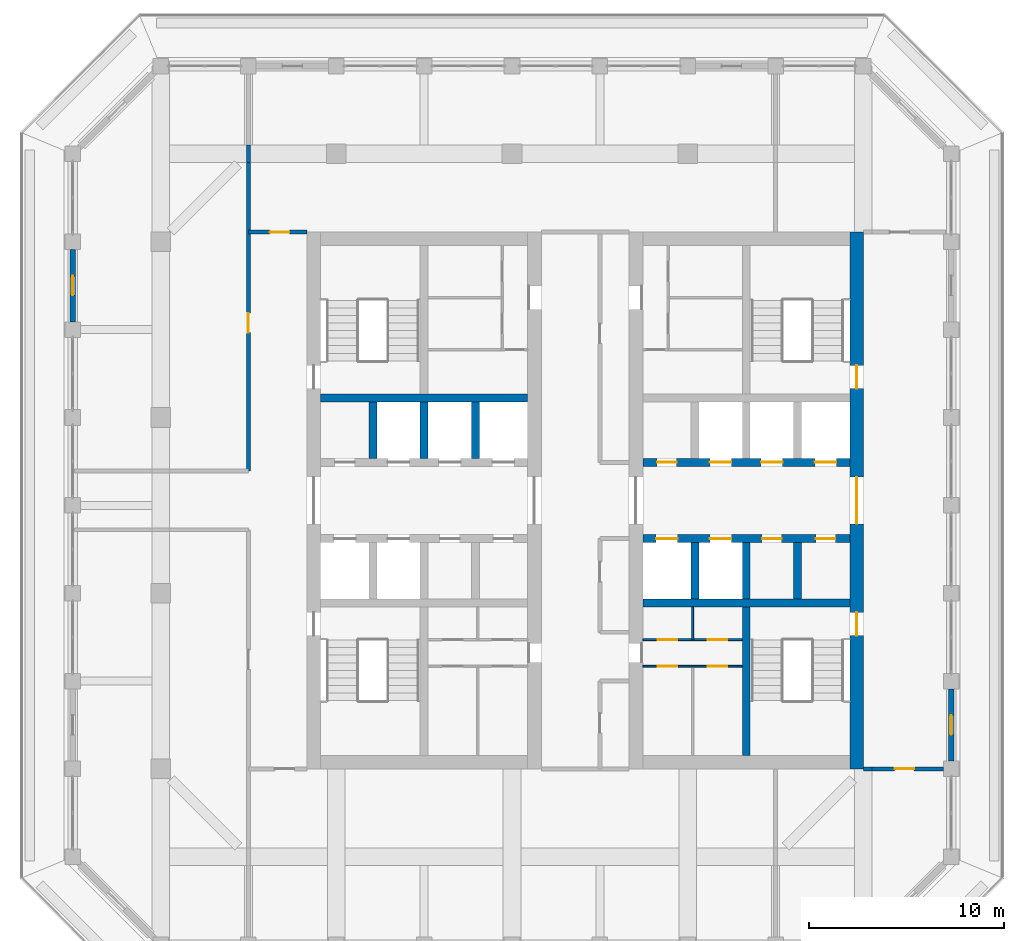
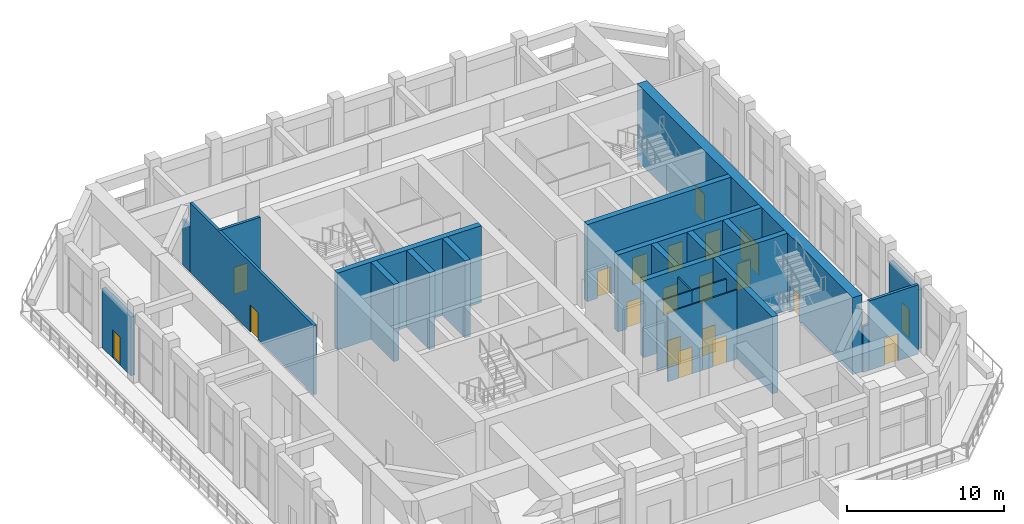
# One storey, part 11 of 20: 24 walls, 20 doors, 20 openings.
"""IFC4 building model written with IfcOpenShell, lengths in metres."""

from ifc_helpers import new_model, si_unit, direction, frame, frame_2d, origin, place, context, subcontext, project, spatial, rectangle, extrude, material, layer, layer_set, type_object, element, fill, save


model = new_model("IFC4")

# Units and contexts
model_context = context("Model", 3, precision=1e-05, world=origin(), true_north=direction((0.0, 1.0)))
body_context = subcontext(model_context, "Body", "Model", "MODEL_VIEW")
ifc_project = project(units=[si_unit("LENGTHUNIT", "METRE"), si_unit("AREAUNIT", "SQUARE_METRE"), si_unit("VOLUMEUNIT", "CUBIC_METRE"), si_unit("PLANEANGLEUNIT", "RADIAN"), si_unit("MASSUNIT", "GRAM", prefix="KILO")], contexts=[model_context])

# Site, building, storey
site_placement = place(None, origin())
site = spatial("IfcSite", under=ifc_project, at=site_placement, CompositionType="ELEMENT")
building_placement = place(site_placement, origin())
building = spatial("IfcBuilding", under=site, at=building_placement, Name="Corbel Stack Research Tower", CompositionType="ELEMENT")
storey_placement = place(building_placement, frame((0.0, 0.0, 295.0)))
storey = spatial("IfcBuildingStorey", under=building, at=storey_placement, Name="L67", CompositionType="ELEMENT", Elevation=295.0)

# Walls
ifc_material_1 = material(Name="Concrete C60/75", Category="concrete")
ifc_layer_1 = layer(ifc_material_1, 0.39990234375)
ifc_layer_set_1 = layer_set([ifc_layer_1], Name="Concrete C60/75")
wall_type_1 = type_object("IfcWallType", Name="CW-400-60", PredefinedType="SHEAR", material=ifc_layer_set_1)
wall_1_placement = place(storey_placement, frame((-9.800048828125, 10.0, 0.0), z_axis=(0.0, 0.0, 1.0), x_axis=(1.0, 0.0, 0.0)))
element("IfcWall", 1, at=wall_1_placement, inside=storey, type_object=wall_type_1, Name="West core wall, north row back L67", PredefinedType="SHEAR", context=body_context, shape_type="SweptSolid", body=[
    extrude(rectangle(XDim=10.60009765625, YDim=0.39990234375, at=frame_2d((5.300048828125, 0.0))), origin(), (0.0, 0.0, 1.0), 6.0),
])
for number, where, z_axis, x_axis, name in (
    (2, (-7.125, 6.89990234375, 0.0), (0.0, 0.0, 1.0), (0.0, 1.0, 0.0), "West core wall, north shaft 1 L67"),
    (3, (-4.5, 6.89990234375, 0.0), (0.0, 0.0, 1.0), (0.0, 1.0, 0.0), "West core wall, north shaft 2 L67"),
    (4, (-1.875, 6.89990234375, 0.0), (0.0, 0.0, 1.0), (0.0, 1.0, 0.0), "West core wall, north shaft 3 L67"),
):
    element("IfcWall", number, at=place(storey_placement, frame(where, z_axis=z_axis, x_axis=x_axis)), inside=storey, type_object=wall_type_1, Name=name, PredefinedType="SHEAR", context=body_context, shape_type="SweptSolid", body=[
        extrude(rectangle(XDim=2.900146484375, YDim=0.39990234375, at=frame_2d((1.4501953125, 0.0))), origin(), (0.0, 0.0, 1.0), 6.0),
    ])
wall_2_placement = place(storey_placement, frame((6.699951171875, -0.5, 0.0), z_axis=(0.0, 0.0, 1.0), x_axis=(1.0, 0.0, 0.0)))
element("IfcWall", 5, at=wall_2_placement, inside=storey, type_object=wall_type_1, Name="East core wall, south row back L67", PredefinedType="SHEAR", context=body_context, shape_type="SweptSolid", body=[
    extrude(rectangle(XDim=10.60009765625, YDim=0.39990234375, at=frame_2d((5.300048828125, 0.0))), origin(), (0.0, 0.0, 1.0), 6.0),
])

# Wall, openings, doors
wall_3_placement = place(storey_placement, frame((6.699951171875, 2.800048828125, 0.0), z_axis=(0.0, 0.0, 1.0), x_axis=(1.0, 0.0, 0.0)))
wall_3 = element("IfcWall", 6, at=wall_3_placement, inside=storey, type_object=wall_type_1, Name="East core wall, lobby south L67", PredefinedType="SHEAR", context=body_context, shape_type="SweptSolid", body=[
    extrude(rectangle(XDim=10.60009765625, YDim=0.39990234375, at=frame_2d((5.300048828125, 0.0))), origin(), (0.0, 0.0, 1.0), 6.0),
])
opening_1_placement = place(wall_3_placement, frame((0.6875, 0.0, 0.0)))
opening_1 = element("IfcOpeningElement", 7, at=opening_1_placement, cuts=wall_3, Name="Opening LD-FS2", PredefinedType="OPENING", context=body_context, shape_type="SweptSolid", body=[
    extrude(rectangle(XDim=1.10009765625, YDim=2.10009765625, at=frame_2d((0.550048828125, 1.050048828125))), frame((0.0, 0.2099609375, 0.0), z_axis=(0.0, -1.0, 0.0), x_axis=(1.0, 0.0, 0.0)), (0.0, 0.0, 1.0), 0.419921875),
])
opening_2_placement = place(wall_3_placement, frame((3.4375, 0.0, 0.0)))
opening_2 = element("IfcOpeningElement", 8, at=opening_2_placement, cuts=wall_3, Name="Opening LD-GL2", PredefinedType="OPENING", context=body_context, shape_type="SweptSolid", body=[
    extrude(rectangle(XDim=1.10009765625, YDim=2.10009765625, at=frame_2d((0.550048828125, 1.050048828125))), frame((0.0, 0.2099609375, 0.0), z_axis=(0.0, -1.0, 0.0), x_axis=(1.0, 0.0, 0.0)), (0.0, 0.0, 1.0), 0.419921875),
])
opening_3_placement = place(wall_3_placement, frame((6.112548828125, 0.0, 0.0)))
opening_3 = element("IfcOpeningElement", 9, at=opening_3_placement, cuts=wall_3, Name="Opening CR-E54-S3", PredefinedType="OPENING", context=body_context, shape_type="SweptSolid", body=[
    extrude(rectangle(XDim=1.0, YDim=2.10009765625, at=frame_2d((0.5, 1.050048828125))), frame((0.0, 0.2099609375, 0.0), z_axis=(0.0, -1.0, 0.0), x_axis=(1.0, 0.0, 0.0)), (0.0, 0.0, 1.0), 0.419921875),
])
opening_4_placement = place(wall_3_placement, frame((8.862548828125, 0.0, 0.0)))
opening_4 = element("IfcOpeningElement", 10, at=opening_4_placement, cuts=wall_3, Name="Opening CR-E54-S4", PredefinedType="OPENING", context=body_context, shape_type="SweptSolid", body=[
    extrude(rectangle(XDim=1.0, YDim=2.10009765625, at=frame_2d((0.5, 1.050048828125))), frame((0.0, 0.2099609375, 0.0), z_axis=(0.0, -1.0, 0.0), x_axis=(1.0, 0.0, 0.0)), (0.0, 0.0, 1.0), 0.419921875),
])
ifc_material_2 = material(Name="Stainless steel landing door", Category="steel")
door_type_1 = type_object("IfcDoorType", Name="Lift landing door 1100 x 2100", OperationType="DOUBLE_DOOR_SLIDING", PredefinedType="DOOR", material=ifc_material_2)
door_1_placement = place(opening_1_placement, origin())
door_1 = element("IfcDoor", 11, at=door_1_placement, inside=storey, type_object=door_type_1, Name="Landing door FS2", OperationType="DOUBLE_DOOR_SLIDING", OverallHeight=2.10009765625, OverallWidth=1.10009765625, PredefinedType="DOOR", context=body_context, shape_type="SweptSolid", body=[
    extrude(rectangle(XDim=1.10009765625, YDim=2.10009765625, at=frame_2d((0.550048828125, 1.050048828125))), frame((0.0, 0.02490234375, 0.0), z_axis=(0.0, -1.0, 0.0), x_axis=(1.0, 0.0, 0.0)), (0.0, 0.0, 1.0), 0.050048828125),
])
fill(opening_1, door_1)
door_2_placement = place(opening_2_placement, origin())
door_2 = element("IfcDoor", 12, at=door_2_placement, inside=storey, type_object=door_type_1, Name="Landing door GL2", OperationType="DOUBLE_DOOR_SLIDING", OverallHeight=2.10009765625, OverallWidth=1.10009765625, PredefinedType="DOOR", context=body_context, shape_type="SweptSolid", body=[
    extrude(rectangle(XDim=1.10009765625, YDim=2.10009765625, at=frame_2d((0.550048828125, 1.050048828125))), frame((0.0, 0.02490234375, 0.0), z_axis=(0.0, -1.0, 0.0), x_axis=(1.0, 0.0, 0.0)), (0.0, 0.0, 1.0), 0.050048828125),
])
fill(opening_2, door_2)
ifc_material_3 = material(Name="Painted steel door", Category="steel")
door_type_2 = type_object("IfcDoorType", Name="Service door 1000 x 2100 FD60 left hand", OperationType="SINGLE_SWING_LEFT", PredefinedType="DOOR", material=ifc_material_3)
door_3_placement = place(opening_3_placement, origin())
door_3 = element("IfcDoor", 13, at=door_3_placement, inside=storey, type_object=door_type_2, Name="Electrical room door E core", OperationType="SINGLE_SWING_LEFT", OverallHeight=2.10009765625, OverallWidth=1.0, PredefinedType="DOOR", context=body_context, shape_type="SweptSolid", body=[
    extrude(rectangle(XDim=1.0, YDim=2.10009765625, at=frame_2d((0.5, 1.050048828125))), frame((0.0, 0.02490234375, 0.0), z_axis=(0.0, -1.0, 0.0), x_axis=(1.0, 0.0, 0.0)), (0.0, 0.0, 1.0), 0.050048828125),
])
fill(opening_3, door_3)
ifc_material_4 = material(Name="Painted steel door", Category="steel")
door_type_3 = type_object("IfcDoorType", Name="Service door 1000 x 2100 FD60 right hand", OperationType="SINGLE_SWING_RIGHT", PredefinedType="DOOR", material=ifc_material_4)
door_4_placement = place(opening_4_placement, origin())
door_4 = element("IfcDoor", 14, at=door_4_placement, inside=storey, type_object=door_type_3, Name="Pantry door E core", OperationType="SINGLE_SWING_RIGHT", OverallHeight=2.10009765625, OverallWidth=1.0, PredefinedType="DOOR", context=body_context, shape_type="SweptSolid", body=[
    extrude(rectangle(XDim=1.0, YDim=2.10009765625, at=frame_2d((0.5, 1.050048828125))), frame((0.0, 0.02490234375, 0.0), z_axis=(0.0, -1.0, 0.0), x_axis=(1.0, 0.0, 0.0)), (0.0, 0.0, 1.0), 0.050048828125),
])
fill(opening_4, door_4)

wall_4_placement = place(storey_placement, frame((6.699951171875, 6.699951171875, 0.0), z_axis=(0.0, 0.0, 1.0), x_axis=(1.0, 0.0, 0.0)))
wall_4 = element("IfcWall", 15, at=wall_4_placement, inside=storey, type_object=wall_type_1, Name="East core wall, lobby north L67", PredefinedType="SHEAR", context=body_context, shape_type="SweptSolid", body=[
    extrude(rectangle(XDim=10.60009765625, YDim=0.39990234375, at=frame_2d((5.300048828125, 0.0))), origin(), (0.0, 0.0, 1.0), 6.0),
])
opening_5_placement = place(wall_4_placement, frame((3.4375, 0.0, 0.0)))
opening_5 = element("IfcOpeningElement", 16, at=opening_5_placement, cuts=wall_4, Name="Opening LD-HR4", PredefinedType="OPENING", context=body_context, shape_type="SweptSolid", body=[
    extrude(rectangle(XDim=1.10009765625, YDim=2.10009765625, at=frame_2d((0.550048828125, 1.050048828125))), frame((0.0, 0.2099609375, 0.0), z_axis=(0.0, -1.0, 0.0), x_axis=(1.0, 0.0, 0.0)), (0.0, 0.0, 1.0), 0.419921875),
])
opening_6_placement = place(wall_4_placement, frame((6.0625, 0.0, 0.0)))
opening_6 = element("IfcOpeningElement", 17, at=opening_6_placement, cuts=wall_4, Name="Opening LD-HR5", PredefinedType="OPENING", context=body_context, shape_type="SweptSolid", body=[
    extrude(rectangle(XDim=1.10009765625, YDim=2.10009765625, at=frame_2d((0.550048828125, 1.050048828125))), frame((0.0, 0.2099609375, 0.0), z_axis=(0.0, -1.0, 0.0), x_axis=(1.0, 0.0, 0.0)), (0.0, 0.0, 1.0), 0.419921875),
])
opening_7_placement = place(wall_4_placement, frame((8.8125, 0.0, 0.0)))
opening_7 = element("IfcOpeningElement", 18, at=opening_7_placement, cuts=wall_4, Name="Opening LD-HR6", PredefinedType="OPENING", context=body_context, shape_type="SweptSolid", body=[
    extrude(rectangle(XDim=1.10009765625, YDim=2.10009765625, at=frame_2d((0.550048828125, 1.050048828125))), frame((0.0, 0.2099609375, 0.0), z_axis=(0.0, -1.0, 0.0), x_axis=(1.0, 0.0, 0.0)), (0.0, 0.0, 1.0), 0.419921875),
])
opening_8_placement = place(wall_4_placement, frame((0.737548828125, 0.0, 0.0)))
opening_8 = element("IfcOpeningElement", 19, at=opening_8_placement, cuts=wall_4, Name="Opening CR-E54-N1", PredefinedType="OPENING", context=body_context, shape_type="SweptSolid", body=[
    extrude(rectangle(XDim=1.0, YDim=2.10009765625, at=frame_2d((0.5, 1.050048828125))), frame((0.0, 0.2099609375, 0.0), z_axis=(0.0, -1.0, 0.0), x_axis=(1.0, 0.0, 0.0)), (0.0, 0.0, 1.0), 0.419921875),
])
door_5_placement = place(opening_5_placement, origin())
door_5 = element("IfcDoor", 20, at=door_5_placement, inside=storey, type_object=door_type_1, Name="Landing door HR4", OperationType="DOUBLE_DOOR_SLIDING", OverallHeight=2.10009765625, OverallWidth=1.10009765625, PredefinedType="DOOR", context=body_context, shape_type="SweptSolid", body=[
    extrude(rectangle(XDim=1.10009765625, YDim=2.10009765625, at=frame_2d((0.550048828125, 1.050048828125))), frame((0.0, 0.02490234375, 0.0), z_axis=(0.0, -1.0, 0.0), x_axis=(1.0, 0.0, 0.0)), (0.0, 0.0, 1.0), 0.050048828125),
])
fill(opening_5, door_5)
door_6_placement = place(opening_6_placement, origin())
door_6 = element("IfcDoor", 21, at=door_6_placement, inside=storey, type_object=door_type_1, Name="Landing door HR5", OperationType="DOUBLE_DOOR_SLIDING", OverallHeight=2.10009765625, OverallWidth=1.10009765625, PredefinedType="DOOR", context=body_context, shape_type="SweptSolid", body=[
    extrude(rectangle(XDim=1.10009765625, YDim=2.10009765625, at=frame_2d((0.550048828125, 1.050048828125))), frame((0.0, 0.02490234375, 0.0), z_axis=(0.0, -1.0, 0.0), x_axis=(1.0, 0.0, 0.0)), (0.0, 0.0, 1.0), 0.050048828125),
])
fill(opening_6, door_6)
door_7_placement = place(opening_7_placement, origin())
door_7 = element("IfcDoor", 22, at=door_7_placement, inside=storey, type_object=door_type_1, Name="Landing door HR6", OperationType="DOUBLE_DOOR_SLIDING", OverallHeight=2.10009765625, OverallWidth=1.10009765625, PredefinedType="DOOR", context=body_context, shape_type="SweptSolid", body=[
    extrude(rectangle(XDim=1.10009765625, YDim=2.10009765625, at=frame_2d((0.550048828125, 1.050048828125))), frame((0.0, 0.02490234375, 0.0), z_axis=(0.0, -1.0, 0.0), x_axis=(1.0, 0.0, 0.0)), (0.0, 0.0, 1.0), 0.050048828125),
])
fill(opening_7, door_7)
door_8_placement = place(opening_8_placement, origin())
door_8 = element("IfcDoor", 23, at=door_8_placement, inside=storey, type_object=door_type_2, Name="Staff WC door E core", OperationType="SINGLE_SWING_LEFT", OverallHeight=2.10009765625, OverallWidth=1.0, PredefinedType="DOOR", context=body_context, shape_type="SweptSolid", body=[
    extrude(rectangle(XDim=1.0, YDim=2.10009765625, at=frame_2d((0.5, 1.050048828125))), frame((0.0, 0.02490234375, 0.0), z_axis=(0.0, -1.0, 0.0), x_axis=(1.0, 0.0, 0.0)), (0.0, 0.0, 1.0), 0.050048828125),
])
fill(opening_8, door_8)

# Walls
for number, where, z_axis, x_axis, name in (
    (24, (9.375, -0.300048828125, 0.0), (0.0, 0.0, 1.0), (0.0, 1.0, 0.0), "East core wall, south shaft 1 L67"),
    (25, (12.0, -0.300048828125, 0.0), (0.0, 0.0, 1.0), (0.0, 1.0, 0.0), "East core wall, south shaft 2 L67"),
    (26, (14.625, -0.300048828125, 0.0), (0.0, 0.0, 1.0), (0.0, 1.0, 0.0), "East core wall, south shaft 3 L67"),
):
    element("IfcWall", number, at=place(storey_placement, frame(where, z_axis=z_axis, x_axis=x_axis)), inside=storey, type_object=wall_type_1, Name=name, PredefinedType="SHEAR", context=body_context, shape_type="SweptSolid", body=[
        extrude(rectangle(XDim=2.900146484375, YDim=0.39990234375, at=frame_2d((1.4501953125, 0.0))), origin(), (0.0, 0.0, 1.0), 6.0),
    ])
wall_5_placement = place(storey_placement, frame((12.0, -8.300048828125, 0.0), z_axis=(0.0, 0.0, 1.0), x_axis=(0.0, 1.0, 0.0)))
element("IfcWall", 27, at=wall_5_placement, inside=storey, type_object=wall_type_1, Name="East core wall, south stair and WC L67", PredefinedType="SHEAR", context=body_context, shape_type="SweptSolid", body=[
    extrude(rectangle(XDim=7.60009765625, YDim=0.39990234375, at=frame_2d((3.800048828125, 0.0))), origin(), (0.0, 0.0, 1.0), 6.0),
])

# Wall, openings, doors
ifc_material_5 = material(Name="Concrete C60/75", Category="concrete")
ifc_layer_2 = layer(ifc_material_5, 0.699951171875)
ifc_layer_set_2 = layer_set([ifc_layer_2], Name="Concrete C60/75")
wall_type_2 = type_object("IfcWallType", Name="CW-700-60", PredefinedType="SHEAR", material=ifc_layer_set_2)
wall_6_placement = place(storey_placement, frame((17.64990234375, -9.0, 0.0), z_axis=(0.0, 0.0, 1.0), x_axis=(0.0, 1.0, 0.0)))
wall_6 = element("IfcWall", 28, at=wall_6_placement, inside=storey, type_object=wall_type_2, Name="East core wall, east face L67", PredefinedType="SHEAR", context=body_context, shape_type="SweptSolid", body=[
    extrude(rectangle(XDim=27.5, YDim=0.699951171875, at=frame_2d((13.75, 0.0))), origin(), (0.0, 0.0, 1.0), 6.0),
])
opening_9_placement = place(wall_6_placement, frame((12.550048828125, 0.0, 0.0)))
opening_9 = element("IfcOpeningElement", 29, at=opening_9_placement, cuts=wall_6, Name="Opening CD-E-E", PredefinedType="OPENING", context=body_context, shape_type="SweptSolid", body=[
    extrude(rectangle(XDim=2.39990234375, YDim=2.39990234375, at=frame_2d((1.199951171875, 1.199951171875))), frame((0.0, 0.35986328125, 0.0), z_axis=(0.0, -1.0, 0.0), x_axis=(1.0, 0.0, 0.0)), (0.0, 0.0, 1.0), 0.719970703125),
])
opening_10_placement = place(wall_6_placement, frame((6.824951171875, 0.0, 0.0)))
opening_10 = element("IfcOpeningElement", 30, at=opening_10_placement, cuts=wall_6, Name="Opening SD-ST-E1", PredefinedType="OPENING", context=body_context, shape_type="SweptSolid", body=[
    extrude(rectangle(XDim=1.199951171875, YDim=2.10009765625, at=frame_2d((0.60009765625, 1.050048828125))), frame((0.0, 0.35986328125, 0.0), z_axis=(0.0, -1.0, 0.0), x_axis=(1.0, 0.0, 0.0)), (0.0, 0.0, 1.0), 0.719970703125),
])
opening_11_placement = place(wall_6_placement, frame((19.47509765625, 0.0, 0.0)))
opening_11 = element("IfcOpeningElement", 31, at=opening_11_placement, cuts=wall_6, Name="Opening SD-ST-E2", PredefinedType="OPENING", context=body_context, shape_type="SweptSolid", body=[
    extrude(rectangle(XDim=1.199951171875, YDim=2.10009765625, at=frame_2d((0.60009765625, 1.050048828125))), frame((0.0, 0.35986328125, 0.0), z_axis=(0.0, -1.0, 0.0), x_axis=(1.0, 0.0, 0.0)), (0.0, 0.0, 1.0), 0.719970703125),
])
ifc_material_6 = material(Name="Painted steel fire door", Category="steel")
door_type_4 = type_object("IfcDoorType", Name="Lobby door pair 2400 x 2400 FD30S", OperationType="DOUBLE_DOOR_DOUBLE_SWING", PredefinedType="DOOR", material=ifc_material_6)
door_9_placement = place(opening_9_placement, origin())
door_9 = element("IfcDoor", 32, at=door_9_placement, inside=storey, type_object=door_type_4, Name="Lift lobby door E core E", OperationType="DOUBLE_DOOR_DOUBLE_SWING", OverallHeight=2.39990234375, OverallWidth=2.39990234375, PredefinedType="DOOR", context=body_context, shape_type="SweptSolid", body=[
    extrude(rectangle(XDim=2.39990234375, YDim=2.39990234375, at=frame_2d((1.199951171875, 1.199951171875))), frame((0.0, 0.02490234375, 0.0), z_axis=(0.0, -1.0, 0.0), x_axis=(1.0, 0.0, 0.0)), (0.0, 0.0, 1.0), 0.050048828125),
])
fill(opening_9, door_9)
ifc_material_7 = material(Name="Painted steel fire door", Category="steel")
door_type_5 = type_object("IfcDoorType", Name="Stair door 1200 x 2100 FD90 right hand", OperationType="SINGLE_SWING_RIGHT", PredefinedType="DOOR", material=ifc_material_7)
door_10_placement = place(opening_10_placement, frame((1.199951171875, 0.0, 0.0), z_axis=(0.0, 0.0, 1.0), x_axis=(-1.0, 0.0, 0.0)))
door_10 = element("IfcDoor", 33, at=door_10_placement, inside=storey, type_object=door_type_5, Name="Stair door ST-E1", OperationType="SINGLE_SWING_LEFT", OverallHeight=2.10009765625, OverallWidth=1.199951171875, PredefinedType="DOOR", context=body_context, shape_type="SweptSolid", body=[
    extrude(rectangle(XDim=1.199951171875, YDim=2.10009765625, at=frame_2d((0.60009765625, 1.050048828125))), frame((0.0, 0.02490234375, 0.0), z_axis=(0.0, -1.0, 0.0), x_axis=(1.0, 0.0, 0.0)), (0.0, 0.0, 1.0), 0.050048828125),
])
fill(opening_10, door_10)
door_11_placement = place(opening_11_placement, frame((1.199951171875, 0.0, 0.0), z_axis=(0.0, 0.0, 1.0), x_axis=(-1.0, 0.0, 0.0)))
door_11 = element("IfcDoor", 34, at=door_11_placement, inside=storey, type_object=door_type_5, Name="Stair door ST-E2", OperationType="SINGLE_SWING_LEFT", OverallHeight=2.10009765625, OverallWidth=1.199951171875, PredefinedType="DOOR", context=body_context, shape_type="SweptSolid", body=[
    extrude(rectangle(XDim=1.199951171875, YDim=2.10009765625, at=frame_2d((0.60009765625, 1.050048828125))), frame((0.0, 0.02490234375, 0.0), z_axis=(0.0, -1.0, 0.0), x_axis=(1.0, 0.0, 0.0)), (0.0, 0.0, 1.0), 0.050048828125),
])
fill(opening_11, door_11)

# Wall, opening, door
ifc_material_8 = material(Name="Gypsum board")
ifc_layer_3 = layer(ifc_material_8, 0.10009765625)
ifc_layer_set_3 = layer_set([ifc_layer_3], Name="Gypsum board")
wall_type_3 = type_object("IfcWallType", Name="Core partition 100", PredefinedType="PARTITIONING", material=ifc_layer_set_3)
wall_7_placement = place(storey_placement, frame((6.699951171875, -3.739990234375, 0.0), z_axis=(0.0, 0.0, 1.0), x_axis=(1.0, 0.0, 0.0)))
wall_7 = element("IfcWall", 35, at=wall_7_placement, inside=storey, type_object=wall_type_3, Name="Core partition E", PredefinedType="PARTITIONING", context=body_context, shape_type="SweptSolid", body=[
    extrude(rectangle(XDim=2.550048828125, YDim=0.10009765625, at=frame_2d((1.27490234375, 0.0))), origin(), (0.0, 0.0, 1.0), 5.39990234375),
])
opening_12_placement = place(wall_7_placement, frame((0.77490234375, 0.0, 0.0)))
opening_12 = element("IfcOpeningElement", 36, at=opening_12_placement, cuts=wall_7, Name="Opening CR-E54-W2-1000", PredefinedType="OPENING", context=body_context, shape_type="SweptSolid", body=[
    extrude(rectangle(XDim=1.0, YDim=2.10009765625, at=frame_2d((0.5, 1.050048828125))), frame((0.0, 0.06005859375, 0.0), z_axis=(0.0, -1.0, 0.0), x_axis=(1.0, 0.0, 0.0)), (0.0, 0.0, 1.0), 0.1201171875),
])
ifc_material_9 = material(Name="Painted timber door", Category="wood")
door_type_6 = type_object("IfcDoorType", Name="WC door 1000 x 2100 left hand", OperationType="SINGLE_SWING_LEFT", PredefinedType="DOOR", material=ifc_material_9)
door_12_placement = place(opening_12_placement, origin())
door_12 = element("IfcDoor", 37, at=door_12_placement, inside=storey, type_object=door_type_6, Name="Women's WC door E core", OperationType="SINGLE_SWING_LEFT", OverallHeight=2.10009765625, OverallWidth=1.0, PredefinedType="DOOR", context=body_context, shape_type="SweptSolid", body=[
    extrude(rectangle(XDim=1.0, YDim=2.10009765625, at=frame_2d((0.5, 1.050048828125))), frame((0.0, 0.02490234375, 0.0), z_axis=(0.0, -1.0, 0.0), x_axis=(1.0, 0.0, 0.0)), (0.0, 0.0, 1.0), 0.050048828125),
])
fill(opening_12, door_12)

wall_8_placement = place(storey_placement, frame((9.25, -3.739990234375, 0.0), z_axis=(0.0, 0.0, 1.0), x_axis=(1.0, 0.0, 0.0)))
wall_8 = element("IfcWall", 38, at=wall_8_placement, inside=storey, type_object=wall_type_3, Name="Core partition E", PredefinedType="PARTITIONING", context=body_context, shape_type="SweptSolid", body=[
    extrude(rectangle(XDim=2.550048828125, YDim=0.10009765625, at=frame_2d((1.27490234375, 0.0))), origin(), (0.0, 0.0, 1.0), 5.39990234375),
])
opening_13_placement = place(wall_8_placement, frame((0.77490234375, 0.0, 0.0)))
opening_13 = element("IfcOpeningElement", 39, at=opening_13_placement, cuts=wall_8, Name="Opening CR-E54-W3-1000", PredefinedType="OPENING", context=body_context, shape_type="SweptSolid", body=[
    extrude(rectangle(XDim=1.0, YDim=2.10009765625, at=frame_2d((0.5, 1.050048828125))), frame((0.0, 0.06005859375, 0.0), z_axis=(0.0, -1.0, 0.0), x_axis=(1.0, 0.0, 0.0)), (0.0, 0.0, 1.0), 0.1201171875),
])
ifc_material_10 = material(Name="Painted timber door", Category="wood")
door_type_7 = type_object("IfcDoorType", Name="WC door 1000 x 2100 right hand", OperationType="SINGLE_SWING_RIGHT", PredefinedType="DOOR", material=ifc_material_10)
door_13_placement = place(opening_13_placement, origin())
door_13 = element("IfcDoor", 40, at=door_13_placement, inside=storey, type_object=door_type_7, Name="Men's WC door E core", OperationType="SINGLE_SWING_RIGHT", OverallHeight=2.10009765625, OverallWidth=1.0, PredefinedType="DOOR", context=body_context, shape_type="SweptSolid", body=[
    extrude(rectangle(XDim=1.0, YDim=2.10009765625, at=frame_2d((0.5, 1.050048828125))), frame((0.0, 0.02490234375, 0.0), z_axis=(0.0, -1.0, 0.0), x_axis=(1.0, 0.0, 0.0)), (0.0, 0.0, 1.0), 0.050048828125),
])
fill(opening_13, door_13)

wall_9_placement = place(storey_placement, frame((6.699951171875, -2.3720703125, 0.0), z_axis=(0.0, 0.0, 1.0), x_axis=(1.0, 0.0, 0.0)))
wall_9 = element("IfcWall", 41, at=wall_9_placement, inside=storey, type_object=wall_type_3, Name="Core partition E", PredefinedType="PARTITIONING", context=body_context, shape_type="SweptSolid", body=[
    extrude(rectangle(XDim=2.550048828125, YDim=0.10009765625, at=frame_2d((1.27490234375, 0.0))), origin(), (0.0, 0.0, 1.0), 5.39990234375),
])
opening_14_placement = place(wall_9_placement, frame((0.77490234375, 0.0, 0.0)))
opening_14 = element("IfcOpeningElement", 42, at=opening_14_placement, cuts=wall_9, Name="Opening CR-E54-W4-1000", PredefinedType="OPENING", context=body_context, shape_type="SweptSolid", body=[
    extrude(rectangle(XDim=1.0, YDim=2.10009765625, at=frame_2d((0.5, 1.050048828125))), frame((0.0, 0.06005859375, 0.0), z_axis=(0.0, -1.0, 0.0), x_axis=(1.0, 0.0, 0.0)), (0.0, 0.0, 1.0), 0.1201171875),
])
door_14_placement = place(opening_14_placement, origin())
door_14 = element("IfcDoor", 43, at=door_14_placement, inside=storey, type_object=door_type_6, Name="Accessible WC door E core", OperationType="SINGLE_SWING_LEFT", OverallHeight=2.10009765625, OverallWidth=1.0, PredefinedType="DOOR", context=body_context, shape_type="SweptSolid", body=[
    extrude(rectangle(XDim=1.0, YDim=2.10009765625, at=frame_2d((0.5, 1.050048828125))), frame((0.0, 0.02490234375, 0.0), z_axis=(0.0, -1.0, 0.0), x_axis=(1.0, 0.0, 0.0)), (0.0, 0.0, 1.0), 0.050048828125),
])
fill(opening_14, door_14)

wall_10_placement = place(storey_placement, frame((9.25, -2.3720703125, 0.0), z_axis=(0.0, 0.0, 1.0), x_axis=(1.0, 0.0, 0.0)))
wall_10 = element("IfcWall", 44, at=wall_10_placement, inside=storey, type_object=wall_type_3, Name="Core partition E", PredefinedType="PARTITIONING", context=body_context, shape_type="SweptSolid", body=[
    extrude(rectangle(XDim=2.550048828125, YDim=0.10009765625, at=frame_2d((1.27490234375, 0.0))), origin(), (0.0, 0.0, 1.0), 5.39990234375),
])
opening_15_placement = place(wall_10_placement, frame((0.77490234375, 0.0, 0.0)))
opening_15 = element("IfcOpeningElement", 45, at=opening_15_placement, cuts=wall_10, Name="Opening CR-E54-W5-1000", PredefinedType="OPENING", context=body_context, shape_type="SweptSolid", body=[
    extrude(rectangle(XDim=1.0, YDim=2.10009765625, at=frame_2d((0.5, 1.050048828125))), frame((0.0, 0.06005859375, 0.0), z_axis=(0.0, -1.0, 0.0), x_axis=(1.0, 0.0, 0.0)), (0.0, 0.0, 1.0), 0.1201171875),
])
door_15_placement = place(opening_15_placement, origin())
door_15 = element("IfcDoor", 46, at=door_15_placement, inside=storey, type_object=door_type_7, Name="Shower and changing room door E core", OperationType="SINGLE_SWING_RIGHT", OverallHeight=2.10009765625, OverallWidth=1.0, PredefinedType="DOOR", context=body_context, shape_type="SweptSolid", body=[
    extrude(rectangle(XDim=1.0, YDim=2.10009765625, at=frame_2d((0.5, 1.050048828125))), frame((0.0, 0.02490234375, 0.0), z_axis=(0.0, -1.0, 0.0), x_axis=(1.0, 0.0, 0.0)), (0.0, 0.0, 1.0), 0.050048828125),
])
fill(opening_15, door_15)

# Wall
wall_11_placement = place(storey_placement, frame((9.25, -2.3720703125, 0.0), z_axis=(0.0, 0.0, 1.0), x_axis=(0.0, 1.0, 0.0)))
element("IfcWall", 47, at=wall_11_placement, inside=storey, type_object=wall_type_3, Name="Core partition E", PredefinedType="PARTITIONING", context=body_context, shape_type="SweptSolid", body=[
    extrude(rectangle(XDim=1.672119140625, YDim=0.10009765625, at=frame_2d((0.8359375, 0.0))), origin(), (0.0, 0.0, 1.0), 5.39990234375),
])

# Wall, opening, door
ifc_material_11 = material(Name="Fire-rated gypsum board partition on steel studs", Category="steel")
ifc_layer_4 = layer(ifc_material_11, 0.199951171875)
ifc_layer_set_4 = layer_set([ifc_layer_4], Name="Fire-rated gypsum board partition on steel studs")
wall_type_4 = type_object("IfcWallType", Name="Fire-rated partition 200 EI 60", PredefinedType="PARTITIONING", material=ifc_layer_set_4)
wall_12_placement = place(storey_placement, frame((-13.5, 6.25, 0.0), z_axis=(0.0, 0.0, 1.0), x_axis=(0.0, 1.0, 0.0)))
wall_12 = element("IfcWall", 48, at=wall_12_placement, inside=storey, type_object=wall_type_4, Name="Partition L67-004", PredefinedType="PARTITIONING", context=body_context, shape_type="SweptSolid", body=[
    extrude(rectangle(XDim=15.800048828125, YDim=0.199951171875, at=frame_2d((7.89990234375, 0.0))), origin(), (0.0, 0.0, 1.0), 5.39990234375),
])
opening_16_placement = place(wall_12_placement, frame((7.10009765625, 0.0, 0.0)))
opening_16 = element("IfcOpeningElement", 49, at=opening_16_placement, cuts=wall_12, Name="Opening B8AM-002", PredefinedType="OPENING", context=body_context, shape_type="SweptSolid", body=[
    extrude(rectangle(XDim=1.0, YDim=2.10009765625, at=frame_2d((0.5, 1.050048828125))), frame((0.0, 0.10986328125, 0.0), z_axis=(0.0, -1.0, 0.0), x_axis=(1.0, 0.0, 0.0)), (0.0, 0.0, 1.0), 0.219970703125),
])
ifc_material_12 = material(Name="Painted steel fire door", Category="steel")
door_type_8 = type_object("IfcDoorType", Name="Fire door FD30S 1000 x 2100", OperationType="NOTDEFINED", PredefinedType="DOOR", material=ifc_material_12)
door_16_placement = place(opening_16_placement, origin())
door_16 = element("IfcDoor", 50, at=door_16_placement, inside=storey, type_object=door_type_8, Name="Door B8AM-002", OperationType="SINGLE_SWING_LEFT", OverallHeight=2.10009765625, OverallWidth=1.0, PredefinedType="DOOR", context=body_context, shape_type="SweptSolid", body=[
    extrude(rectangle(XDim=1.0, YDim=2.10009765625, at=frame_2d((0.5, 1.050048828125))), frame((0.0, 0.02490234375, 0.0), z_axis=(0.0, -1.0, 0.0), x_axis=(1.0, 0.0, 0.0)), (0.0, 0.0, 1.0), 0.050048828125),
])
fill(opening_16, door_16)

# Walls
wall_13_placement = place(storey_placement, frame((-13.5, 22.050048828125, 0.0), z_axis=(0.0, 0.0, 1.0), x_axis=(0.0, 1.0, 0.0)))
element("IfcWall", 51, at=wall_13_placement, inside=storey, type_object=wall_type_4, Name="Partition L67-005", PredefinedType="PARTITIONING", context=body_context, shape_type="SweptSolid", body=[
    extrude(rectangle(XDim=0.89990234375, YDim=0.199951171875, at=frame_2d((0.449951171875, 0.0))), origin(), (0.0, 0.0, 1.0), 3.570068359375),
])
wall_14_placement = place(storey_placement, frame((18.0, -9.0, 0.0), z_axis=(0.0, 0.0, 1.0), x_axis=(1.0, 0.0, 0.0)))
element("IfcWall", 52, at=wall_14_placement, inside=storey, type_object=wall_type_4, Name="Partition L67-018", PredefinedType="PARTITIONING", context=body_context, shape_type="SweptSolid", body=[
    extrude(rectangle(XDim=0.449951171875, YDim=0.199951171875, at=frame_2d((0.22509765625, 0.0))), origin(), (0.0, 0.0, 1.0), 3.570068359375),
])

# Wall, opening, door
wall_15_placement = place(storey_placement, frame((22.10009765625, -9.0, 0.0), z_axis=(0.0, 0.0, 1.0), x_axis=(-1.0, 0.0, 0.0)))
wall_15 = element("IfcWall", 53, at=wall_15_placement, inside=storey, type_object=wall_type_4, Name="Partition L67-019", PredefinedType="PARTITIONING", context=body_context, shape_type="SweptSolid", body=[
    extrude(rectangle(XDim=3.650146484375, YDim=0.199951171875, at=frame_2d((1.8251953125, 0.0))), origin(), (0.0, 0.0, 1.0), 5.39990234375),
])
opening_17_placement = place(wall_15_placement, frame((1.5, 0.0, 0.0)))
opening_17 = element("IfcOpeningElement", 54, at=opening_17_placement, cuts=wall_15, Name="Opening B8AM-004", PredefinedType="OPENING", context=body_context, shape_type="SweptSolid", body=[
    extrude(rectangle(XDim=1.0, YDim=2.10009765625, at=frame_2d((0.5, 1.050048828125))), frame((0.0, 0.10986328125, 0.0), z_axis=(0.0, -1.0, 0.0), x_axis=(1.0, 0.0, 0.0)), (0.0, 0.0, 1.0), 0.219970703125),
])
door_17_placement = place(opening_17_placement, origin())
door_17 = element("IfcDoor", 55, at=door_17_placement, inside=storey, type_object=door_type_8, Name="Door B8AM-004", OperationType="SINGLE_SWING_RIGHT", OverallHeight=2.10009765625, OverallWidth=1.0, PredefinedType="DOOR", context=body_context, shape_type="SweptSolid", body=[
    extrude(rectangle(XDim=1.0, YDim=2.10009765625, at=frame_2d((0.5, 1.050048828125))), frame((0.0, 0.02490234375, 0.0), z_axis=(0.0, -1.0, 0.0), x_axis=(1.0, 0.0, 0.0)), (0.0, 0.0, 1.0), 0.050048828125),
])
fill(opening_17, door_17)

wall_16_placement = place(storey_placement, frame((-13.5, 18.5, 0.0), z_axis=(0.0, 0.0, 1.0), x_axis=(1.0, 0.0, 0.0)))
wall_16 = element("IfcWall", 56, at=wall_16_placement, inside=storey, type_object=wall_type_4, Name="Partition L67-030", PredefinedType="PARTITIONING", context=body_context, shape_type="SweptSolid", body=[
    extrude(rectangle(XDim=3.0, YDim=0.199951171875, at=frame_2d((1.5, 0.0))), origin(), (0.0, 0.0, 1.0), 5.39990234375),
])
opening_18_placement = place(wall_16_placement, frame((1.10009765625, 0.0, 0.0)))
opening_18 = element("IfcOpeningElement", 57, at=opening_18_placement, cuts=wall_16, Name="Opening B8AM-008", PredefinedType="OPENING", context=body_context, shape_type="SweptSolid", body=[
    extrude(rectangle(XDim=1.0, YDim=2.10009765625, at=frame_2d((0.5, 1.050048828125))), frame((0.0, 0.10986328125, 0.0), z_axis=(0.0, -1.0, 0.0), x_axis=(1.0, 0.0, 0.0)), (0.0, 0.0, 1.0), 0.219970703125),
])
door_18_placement = place(opening_18_placement, origin())
door_18 = element("IfcDoor", 58, at=door_18_placement, inside=storey, type_object=door_type_8, Name="Door B8AM-008", OperationType="SINGLE_SWING_RIGHT", OverallHeight=2.10009765625, OverallWidth=1.0, PredefinedType="DOOR", context=body_context, shape_type="SweptSolid", body=[
    extrude(rectangle(XDim=1.0, YDim=2.10009765625, at=frame_2d((0.5, 1.050048828125))), frame((0.0, 0.02490234375, 0.0), z_axis=(0.0, -1.0, 0.0), x_axis=(1.0, 0.0, 0.0)), (0.0, 0.0, 1.0), 0.050048828125),
])
fill(opening_18, door_18)

ifc_material_13 = material(Name="Concrete C45/55", Category="concrete")
ifc_layer_5 = layer(ifc_material_13, 0.300048828125)
ifc_layer_set_5 = layer_set([ifc_layer_5], Name="Concrete C45/55")
wall_type_5 = type_object("IfcWallType", Name="Terracotta-faced concrete wall 300", PredefinedType="SOLIDWALL", material=ifc_layer_set_5)
wall_17_placement = place(storey_placement, frame((22.5, -4.89990234375, 0.0), z_axis=(0.0, 0.0, 1.0), x_axis=(0.0, -1.0, 0.0)))
wall_17 = element("IfcWall", 59, at=wall_17_placement, inside=storey, type_object=wall_type_5, Name="Facade wall L67 E02", PredefinedType="SOLIDWALL", context=body_context, shape_type="SweptSolid", body=[
    extrude(rectangle(XDim=3.7001953125, YDim=0.300048828125, at=frame_2d((1.85009765625, 0.0))), origin(), (0.0, 0.0, 1.0), 4.60009765625),
])
opening_19_placement = place(wall_17_placement, frame((1.35009765625, 0.0, 0.0)))
opening_19 = element("IfcOpeningElement", 60, at=opening_19_placement, cuts=wall_17, Name="Opening L67-B06", PredefinedType="OPENING", context=body_context, shape_type="SweptSolid", body=[
    extrude(rectangle(XDim=1.0, YDim=2.199951171875, at=frame_2d((0.5, 1.10009765625))), frame((0.0, 0.159912109375, 0.0), z_axis=(0.0, -1.0, 0.0), x_axis=(1.0, 0.0, 0.0)), (0.0, 0.0, 1.0), 0.320068359375),
])
ifc_material_14 = material(Name="Aluminium frame, clear double glazing", Category="aluminium")
door_type_9 = type_object("IfcDoorType", Name="Balcony door BD1 1000 x 2200", OperationType="NOTDEFINED", PredefinedType="DOOR", material=ifc_material_14)
door_19_placement = place(opening_19_placement, origin())
door_19 = element("IfcDoor", 61, at=door_19_placement, inside=storey, type_object=door_type_9, Name="Balcony door L67-B06", OperationType="SINGLE_SWING_LEFT", OverallHeight=2.199951171875, OverallWidth=1.0, PredefinedType="DOOR", context=body_context, shape_type="SweptSolid", body=[
    extrude(rectangle(XDim=1.0, YDim=2.199951171875, at=frame_2d((0.5, 1.10009765625))), frame((0.0, 0.02490234375, 0.0), z_axis=(0.0, -1.0, 0.0), x_axis=(1.0, 0.0, 0.0)), (0.0, 0.0, 1.0), 0.050048828125),
])
fill(opening_19, door_19)

wall_18_placement = place(storey_placement, frame((-22.5, 13.89990234375, 0.0), z_axis=(0.0, 0.0, 1.0), x_axis=(0.0, 1.0, 0.0)))
wall_18 = element("IfcWall", 62, at=wall_18_placement, inside=storey, type_object=wall_type_5, Name="Facade wall L67 W02", PredefinedType="SOLIDWALL", context=body_context, shape_type="SweptSolid", body=[
    extrude(rectangle(XDim=3.7001953125, YDim=0.300048828125, at=frame_2d((1.85009765625, 0.0))), origin(), (0.0, 0.0, 1.0), 4.60009765625),
])
opening_20_placement = place(wall_18_placement, frame((1.35009765625, 0.0, 0.0)))
opening_20 = element("IfcOpeningElement", 63, at=opening_20_placement, cuts=wall_18, Name="Opening L67-B12", PredefinedType="OPENING", context=body_context, shape_type="SweptSolid", body=[
    extrude(rectangle(XDim=1.0, YDim=2.199951171875, at=frame_2d((0.5, 1.10009765625))), frame((0.0, 0.159912109375, 0.0), z_axis=(0.0, -1.0, 0.0), x_axis=(1.0, 0.0, 0.0)), (0.0, 0.0, 1.0), 0.320068359375),
])
door_20_placement = place(opening_20_placement, origin())
door_20 = element("IfcDoor", 64, at=door_20_placement, inside=storey, type_object=door_type_9, Name="Balcony door L67-B12", OperationType="SINGLE_SWING_LEFT", OverallHeight=2.199951171875, OverallWidth=1.0, PredefinedType="DOOR", context=body_context, shape_type="SweptSolid", body=[
    extrude(rectangle(XDim=1.0, YDim=2.199951171875, at=frame_2d((0.5, 1.10009765625))), frame((0.0, 0.02490234375, 0.0), z_axis=(0.0, -1.0, 0.0), x_axis=(1.0, 0.0, 0.0)), (0.0, 0.0, 1.0), 0.050048828125),
])
fill(opening_20, door_20)

save(model, "model.ifc")
